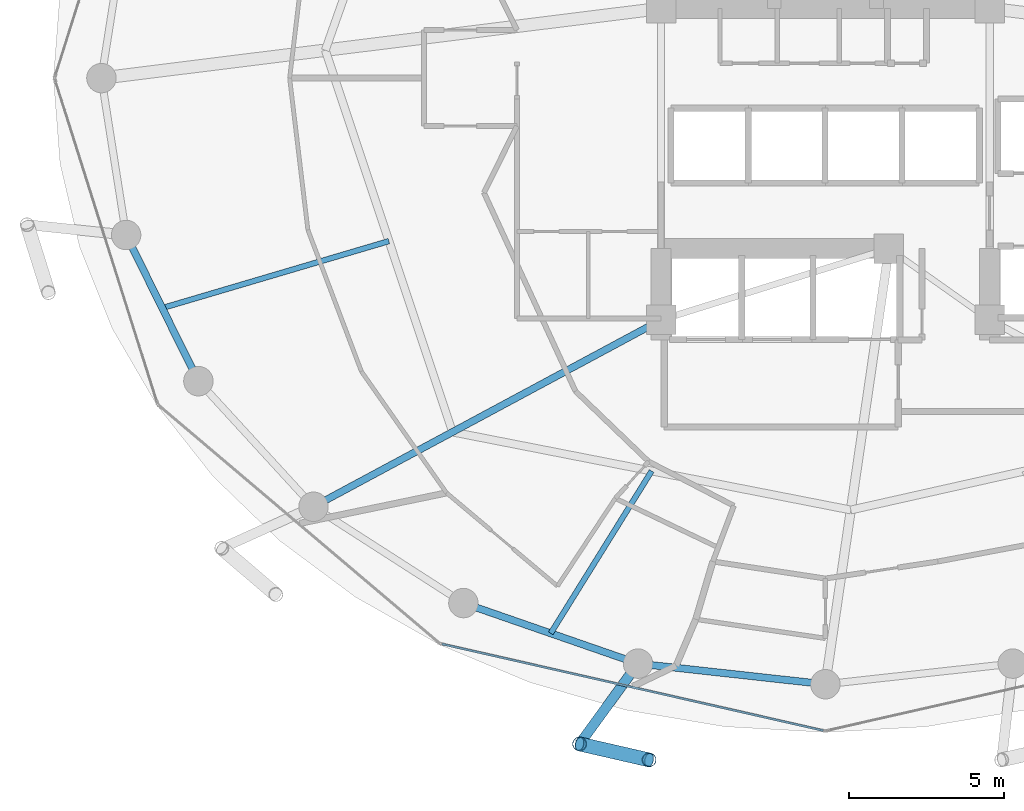
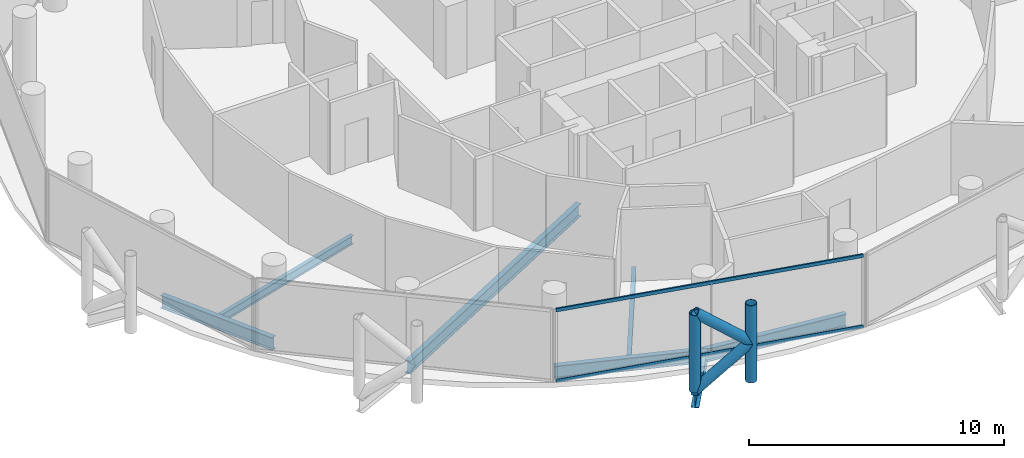
# One storey, part 3 of 26: 7 beams, 6 members, 1 element without a shape of its own.
"""IFC4 building model written with IfcOpenShell, lengths in metres."""

from ifc_helpers import new_model, si_unit, direction, frame, origin, origin_2d, place, context, subcontext, project, spatial, hollow_rectangle, hollow_circle, i_section, extrude, material, layer, layer_set, material_profile, profile_set, type_object, element, aggregate, save


model = new_model("IFC4")

# Units and contexts
model_context = context("Model", 3, precision=1e-05, world=origin(), true_north=direction((0.0, 1.0)))
body_context = subcontext(model_context, "Body", "Model", "MODEL_VIEW")
ifc_project = project(units=[si_unit("LENGTHUNIT", "METRE"), si_unit("AREAUNIT", "SQUARE_METRE"), si_unit("VOLUMEUNIT", "CUBIC_METRE"), si_unit("PLANEANGLEUNIT", "RADIAN"), si_unit("MASSUNIT", "GRAM", prefix="KILO")], contexts=[model_context])

# Site, building, storey
site_placement = place(None, origin())
site = spatial("IfcSite", under=ifc_project, at=site_placement, CompositionType="ELEMENT")
building_placement = place(site_placement, origin())
building = spatial("IfcBuilding", under=site, at=building_placement, Name="Nuhasar Tower", CompositionType="ELEMENT")
storey_placement = place(building_placement, frame((0.0, 0.0, 170.050048828125)))
storey = spatial("IfcBuildingStorey", under=building, at=storey_placement, Name="L41", CompositionType="ELEMENT", Elevation=170.050048828125)

# Beams
ifc_material_1 = material(Name="Steel S355", Category="steel")
ifc_material_profile_1 = material_profile(ifc_material_1, i_section(OverallWidth=0.177978515625, OverallDepth=0.406005859375, WebThickness=0.0078125, FlangeThickness=0.0126953125, at=origin_2d()), Name="W16X40")
ifc_profile_set_1 = profile_set([ifc_material_profile_1], Name="Steel S355")
beam_type_1 = type_object("IfcBeamType", Name="BM-JST-W16X40", PredefinedType="JOIST", material=ifc_profile_set_1)
beam_1_placement = place(storey_placement, frame((33.39697265625, 14.1279296875, -0.453125), z_axis=(-0.528139463011, -0.849157645912, 0.0), x_axis=(0.849157645912, -0.528139463011, 0.0)))
element("IfcBeam", 1, at=beam_1_placement, inside=storey, type_object=beam_type_1, Name="L41 Secondary Floor Joist 01", PredefinedType="JOIST", context=body_context, shape_type="SweptSolid", body=[
    extrude(i_section(OverallWidth=0.177978515625, OverallDepth=0.406005859375, WebThickness=0.0078125, FlangeThickness=0.0126953125, at=origin_2d()), origin(), (0.0, 0.0, 1.0), 6.164794921875),
])
beam_2_placement = place(storey_placement, frame((24.922119140625, 21.54296875, -0.453125), z_axis=(-0.959013356257, -0.283360869775, 0.0), x_axis=(0.283360869775, -0.959013356257, 0.0)))
element("IfcBeam", 2, at=beam_2_placement, inside=storey, type_object=beam_type_1, Name="L41 Secondary Floor Joist 08", PredefinedType="JOIST", context=body_context, shape_type="SweptSolid", body=[
    extrude(i_section(OverallWidth=0.177978515625, OverallDepth=0.406005859375, WebThickness=0.0078125, FlangeThickness=0.0126953125, at=origin_2d()), origin(), (0.0, 0.0, 1.0), 7.62255859375),
])
ifc_material_profile_2 = material_profile(ifc_material_1, i_section(OverallWidth=0.22900390625, OverallDepth=0.612060546875, WebThickness=0.011962890625, FlangeThickness=0.01953125, at=origin_2d()), Name="W24X84")
ifc_profile_set_2 = profile_set([ifc_material_profile_2], Name="Steel S355")
beam_type_2 = type_object("IfcBeamType", Name="BM-RAD-W24X84", PredefinedType="BEAM", material=ifc_profile_set_2)
beam_3_placement = place(storey_placement, frame((33.699951171875, 19.0, -0.55615234375), z_axis=(-0.880888386928, -0.473324043098, 0.0), x_axis=(0.473324043098, -0.880888386928, 0.0)))
element("IfcBeam", 3, at=beam_3_placement, inside=storey, type_object=beam_type_2, Name="L41 Radial Floor Girder 01", PredefinedType="BEAM", context=body_context, shape_type="SweptSolid", body=[
    extrude(i_section(OverallWidth=0.22900390625, OverallDepth=0.612060546875, WebThickness=0.011962890625, FlangeThickness=0.01953125, at=origin_2d()), origin(), (0.0, 0.0, 1.0), 12.726806640625),
])
ifc_material_profile_3 = material_profile(ifc_material_1, i_section(OverallWidth=0.22998046875, OverallDepth=0.616943359375, WebThickness=0.01318359375, FlangeThickness=0.022216796875, at=origin_2d()), Name="W24X94")
ifc_profile_set_3 = profile_set([ifc_material_profile_3], Name="Steel S355")
beam_type_3 = type_object("IfcBeamType", Name="BM-RING-W24X94", PredefinedType="SPANDREL", material=ifc_profile_set_3)
beam_4_placement = place(storey_placement, frame((16.446044921875, 21.739990234375, -0.55810546875), z_axis=(0.443329327657, -0.896358804966, 0.0), x_axis=(0.896358804966, 0.443329327657, 0.0)))
element("IfcBeam", 4, at=beam_4_placement, inside=storey, type_object=beam_type_3, Name="L41 Perimeter Ring Spandrel 14", PredefinedType="SPANDREL", context=body_context, shape_type="SweptSolid", body=[
    extrude(i_section(OverallWidth=0.22998046875, OverallDepth=0.616943359375, WebThickness=0.01318359375, FlangeThickness=0.022216796875, at=origin_2d()), origin(), (0.0, 0.0, 1.0), 5.26025390625),
])
beam_5_placement = place(storey_placement, frame((27.324951171875, 9.868896484375, -0.55810546875), z_axis=(0.944814057608, -0.327607076458, 0.0), x_axis=(0.327607076458, 0.944814057608, 0.0)))
element("IfcBeam", 5, at=beam_5_placement, inside=storey, type_object=beam_type_3, Name="L41 Perimeter Ring Spandrel 17", PredefinedType="SPANDREL", context=body_context, shape_type="SweptSolid", body=[
    extrude(i_section(OverallWidth=0.22998046875, OverallDepth=0.616943359375, WebThickness=0.01318359375, FlangeThickness=0.022216796875, at=origin_2d()), origin(), (0.0, 0.0, 1.0), 5.9609375),
])
beam_6_placement = place(storey_placement, frame((32.95703125, 7.916015625, -0.55810546875), z_axis=(0.993981289157, -0.109549974015, 0.0), x_axis=(0.109549974015, 0.993981289157, 0.0)))
element("IfcBeam", 6, at=beam_6_placement, inside=storey, type_object=beam_type_3, Name="L41 Perimeter Ring Spandrel 18", PredefinedType="SPANDREL", context=body_context, shape_type="SweptSolid", body=[
    extrude(i_section(OverallWidth=0.22998046875, OverallDepth=0.616943359375, WebThickness=0.01318359375, FlangeThickness=0.022216796875, at=origin_2d()), origin(), (0.0, 0.0, 1.0), 6.07958984375),
])
ifc_material_profile_4 = material_profile(ifc_material_1, i_section(OverallWidth=0.323974609375, OverallDepth=0.611083984375, WebThickness=0.0126953125, FlangeThickness=0.01904296875, at=origin_2d()), Name="W24X104")
ifc_profile_set_4 = profile_set([ifc_material_profile_4], Name="Steel S355")
beam_type_4 = type_object("IfcBeamType", Name="BM-TIE-W24X104", PredefinedType="BEAM", material=ifc_profile_set_4)
beam_7_placement = place(storey_placement, frame((32.95703125, 7.916015625, -0.554931640625), z_axis=(-0.588149050751, -0.808752554309, 0.0), x_axis=(0.808752554309, -0.588149050751, 0.0)))
element("IfcBeam", 7, at=beam_7_placement, inside=storey, type_object=beam_type_4, Name="L41 Exoskeleton Node Tie Beam 09", PredefinedType="BEAM", context=body_context, shape_type="SweptSolid", body=[
    extrude(i_section(OverallWidth=0.323974609375, OverallDepth=0.611083984375, WebThickness=0.0126953125, FlangeThickness=0.01904296875, at=origin_2d()), origin(), (0.0, 0.0, 1.0), 3.205078125),
])

# Curtain wall, members
ifc_material_2 = material(Name="Aluminium 6063-T6", Category="aluminium")
ifc_layer = layer(ifc_material_2, 0.199951171875)
ifc_layer_set = layer_set([ifc_layer], Name="Aluminium 6063-T6")
curtain_wall_type = type_object("IfcCurtainWallType", Name="CW-Z2-HTL", PredefinedType="NOTDEFINED", material=ifc_layer_set)
curtain_wall_placement = place(storey_placement, origin())
curtain_wall = element("IfcCurtainWall", 8, at=curtain_wall_placement, inside=storey, type_object=curtain_wall_type, Name="L41 Unitised Curtain Wall 09", PredefinedType="NOTDEFINED")
ifc_material_profile_5 = material_profile(ifc_material_2, hollow_rectangle(XDim=0.070068359375, YDim=0.159912109375, WallThickness=0.00439453125, at=origin_2d()), Name="CWT-3")
ifc_profile_set_5 = profile_set([ifc_material_profile_5], Name="Aluminium 6063-T6")
member_type_1 = type_object("IfcMemberType", Name="CW-TRN-S3", PredefinedType="USERDEFINED", material=ifc_profile_set_5)
member_1_placement = place(storey_placement, frame((26.63818359375, 8.54638671875, 0.034912109375), z_axis=(0.975187615691, -0.221380022142, 0.0), x_axis=(0.221380022142, 0.975187615691, 0.0)))
member_1 = element("IfcMember", 9, at=member_1_placement, type_object=member_type_1, Name="CW-Z2 transom 1.1", ObjectType="TRANSOM", PredefinedType="USERDEFINED", context=body_context, shape_type="SweptSolid", body=[
    extrude(hollow_rectangle(XDim=0.070068359375, YDim=0.159912109375, WallThickness=0.00439453125, at=origin_2d()), origin(), (0.0, 0.0, 1.0), 12.606201171875),
])
member_2_placement = place(storey_placement, frame((26.63818359375, 8.54638671875, 3.4150390625), z_axis=(0.975187615691, -0.221380022142, 0.0), x_axis=(0.221380022142, 0.975187615691, 0.0)))
member_2 = element("IfcMember", 10, at=member_2_placement, type_object=member_type_1, Name="CW-Z2 transom 1.2", ObjectType="TRANSOM", PredefinedType="USERDEFINED", context=body_context, shape_type="SweptSolid", body=[
    extrude(hollow_rectangle(XDim=0.070068359375, YDim=0.159912109375, WallThickness=0.00439453125, at=origin_2d()), origin(), (0.0, 0.0, 1.0), 12.606201171875),
])
aggregate(curtain_wall, [member_1, member_2])

# Members
ifc_material_3 = material(Name="Steel S460", Category="steel")
ifc_material_profile_6 = material_profile(ifc_material_3, hollow_circle(Radius=0.228515625, WallThickness=0.022216796875, at=origin_2d()), Name="HSS457X22.2")
ifc_profile_set_6 = profile_set([ifc_material_profile_6], Name="Steel S460")
member_type_2 = type_object("IfcMemberType", Name="EXO-BRONZE-457", PredefinedType="BRACE", material=ifc_profile_set_6)
for number, where, z_axis, x_axis, name in (
    (11, (31.072021484375, 5.323974609375, 0.0), (0.0, 0.0, 1.0), (1.0, 0.0, 0.0), "L41 Exoskeleton Chord Column EC-09A"),
    (12, (33.31396484375, 4.81005859375, 0.0), (0.0, 0.0, 1.0), (1.0, 0.0, 0.0), "L41 Exoskeleton Chord Column EC-09B"),
):
    element("IfcMember", number, at=place(storey_placement, frame(where, z_axis=z_axis, x_axis=x_axis)), inside=storey, type_object=member_type_2, Name=name, PredefinedType="BRACE", context=body_context, shape_type="SweptSolid", body=[
        extrude(hollow_circle(Radius=0.228515625, WallThickness=0.022216796875, at=origin_2d()), origin(), (0.0, 0.0, 1.0), 3.699951171875),
    ])
member_3_placement = place(storey_placement, frame((31.072021484375, 5.323974609375, 0.0), z_axis=(0.759549860492, -0.174110035537, 0.626713415327), x_axis=(0.223432882746, 0.974719316987, 0.0)))
element("IfcMember", 13, at=member_3_placement, inside=storey, type_object=member_type_2, Name="L41 Bronze Diagrid Brace W1-09", PredefinedType="BRACE", context=body_context, shape_type="SweptSolid", body=[
    extrude(hollow_circle(Radius=0.228515625, WallThickness=0.022216796875, at=origin_2d()), origin(), (0.0, 0.0, 1.0), 2.95166015625),
])
member_4_placement = place(storey_placement, frame((33.31396484375, 4.81005859375, 1.849853515625), z_axis=(-0.759510488094, 0.174101010284, 0.626763637022), x_axis=(-0.223432882746, -0.974719316987, 0.0)))
element("IfcMember", 14, at=member_4_placement, inside=storey, type_object=member_type_2, Name="L41 Bronze Diagrid Brace W2-09", PredefinedType="BRACE", context=body_context, shape_type="SweptSolid", body=[
    extrude(hollow_circle(Radius=0.228515625, WallThickness=0.022216796875, at=origin_2d()), origin(), (0.0, 0.0, 1.0), 2.951904296875),
])

save(model, "model.ifc")
